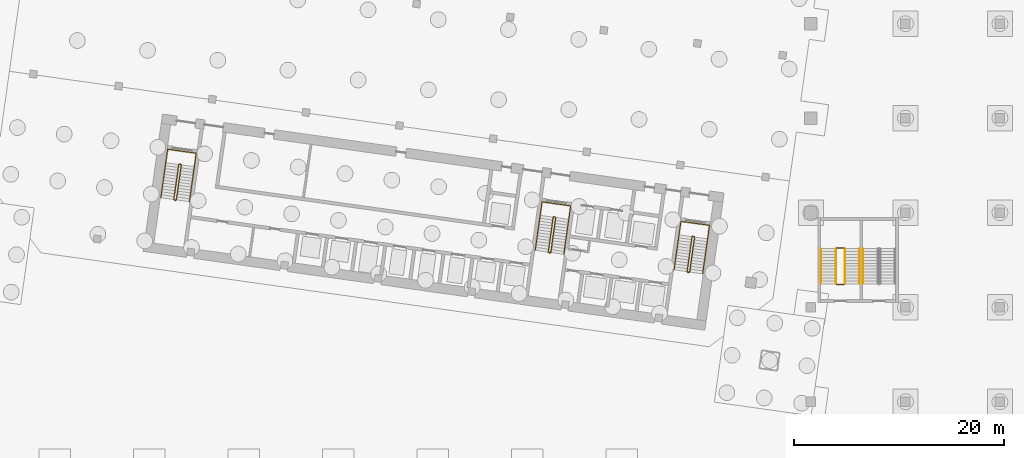
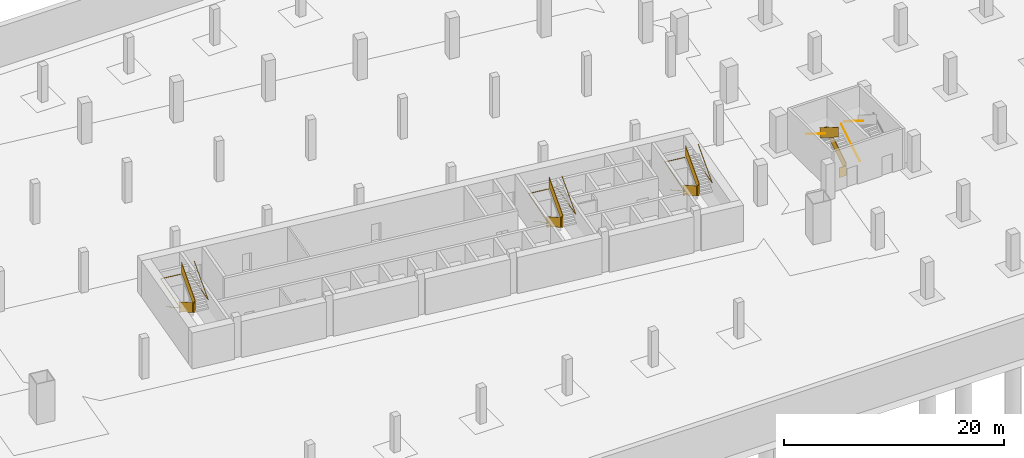
# One storey, part 15 of 19: 13 railings.
"""IFC4 building model written with IfcOpenShell, lengths in metres."""

from ifc_helpers import new_model, si_unit, direction, frame, origin, origin_2d, place, context, subcontext, project, spatial, rectangle, extrude, material, type_object, element, save


model = new_model("IFC4")

# Units and contexts
model_context = context("Model", 3, precision=1e-05, world=origin(), true_north=direction((0.0, 1.0)))
body_context = subcontext(model_context, "Body", "Model", "MODEL_VIEW")
ifc_project = project(units=[si_unit("LENGTHUNIT", "METRE"), si_unit("AREAUNIT", "SQUARE_METRE"), si_unit("VOLUMEUNIT", "CUBIC_METRE"), si_unit("PLANEANGLEUNIT", "RADIAN"), si_unit("MASSUNIT", "GRAM", prefix="KILO")], contexts=[model_context])

# Site, building, storey
site_placement = place(None, origin())
site = spatial("IfcSite", under=ifc_project, at=site_placement, CompositionType="ELEMENT")
building_placement = place(site_placement, origin())
building = spatial("IfcBuilding", under=site, at=building_placement, Name="Mirante Cascada Hotel Towers", CompositionType="ELEMENT")
storey_placement = place(building_placement, frame((0.0, 0.0, -9.0)))
storey = spatial("IfcBuildingStorey", under=building, at=storey_placement, Name="B2", CompositionType="ELEMENT", Elevation=-9.0)

# Railings
ifc_material_1 = material(Name="Painted steel", Category="steel")
railing_type_1 = type_object("IfcRailingType", Name="Podium stair guard 1100 steel balustrade", PredefinedType="GUARDRAIL", material=ifc_material_1)
railing_1_placement = place(storey_placement, frame((-23.775, -15.775, 0.1731)))
element("IfcRailing", 1, at=railing_1_placement, inside=storey, type_object=railing_type_1, Name="B2 PS3 stair guard 1", PredefinedType="GUARDRAIL", context=body_context, shape_type="SweptSolid", body=[
    extrude(rectangle(XDim=0.048, YDim=0.048, at=origin_2d()), frame((0.0, 0.0, 1.076), z_axis=(0.0, 1.0, 0.0), x_axis=(-1.0, 0.0, 0.0)), (0.0, 0.5257871, 0.8506162), 3.9501),
    extrude(rectangle(XDim=0.02, YDim=1.052, at=origin_2d()), frame((0.0, 0.0, 0.526), z_axis=(0.0, 1.0, 0.0), x_axis=(-1.0, 0.0, 0.0)), (0.0, 0.5257871, 0.8506162), 3.9501),
])
railing_2_placement = place(storey_placement, frame((-23.825, -12.365, 2.25)))
element("IfcRailing", 2, at=railing_2_placement, inside=storey, type_object=railing_type_1, Name="B2 PS3 stair guard 2", PredefinedType="GUARDRAIL", context=body_context, shape_type="SweptSolid", body=[
    extrude(rectangle(XDim=0.048, YDim=0.048, at=origin_2d()), frame((0.0, 0.0, 1.076), z_axis=(-1.0, 0.0, 0.0), x_axis=(0.0, -1.0, 0.0)), (0.0, 0.0, 1.0), 0.75),
    extrude(rectangle(XDim=0.02, YDim=1.052, at=origin_2d()), frame((0.0, 0.0, 0.526), z_axis=(-1.0, 0.0, 0.0), x_axis=(0.0, -1.0, 0.0)), (0.0, 0.0, 1.0), 0.75),
])
railing_3_placement = place(storey_placement, frame((-24.625, -12.415, 2.4231)))
element("IfcRailing", 3, at=railing_3_placement, inside=storey, type_object=railing_type_1, Name="B2 PS3 stair guard 3", PredefinedType="GUARDRAIL", context=body_context, shape_type="SweptSolid", body=[
    extrude(rectangle(XDim=0.048, YDim=0.048, at=origin_2d()), frame((0.0, 0.0, 1.076), z_axis=(0.0, -1.0, 0.0), x_axis=(1.0, 0.0, 0.0)), (0.0, 0.5257871, 0.8506162), 3.9501),
    extrude(rectangle(XDim=0.02, YDim=1.052, at=origin_2d()), frame((0.0, 0.0, 0.526), z_axis=(0.0, -1.0, 0.0), x_axis=(1.0, 0.0, 0.0)), (0.0, 0.5257871, 0.8506162), 3.9501),
])
railing_4_placement = place(storey_placement, frame((-23.825, -15.825, 0.0)))
element("IfcRailing", 4, at=railing_4_placement, inside=storey, type_object=railing_type_1, Name="B2 PS3 stair guard 4", PredefinedType="GUARDRAIL", context=body_context, shape_type="SweptSolid", body=[
    extrude(rectangle(XDim=0.048, YDim=0.048, at=origin_2d()), frame((0.0, 0.0, 1.076), z_axis=(-1.0, 0.0, 0.0), x_axis=(0.0, -1.0, 0.0)), (0.0, 0.0, 1.0), 0.75),
    extrude(rectangle(XDim=0.02, YDim=1.052, at=origin_2d()), frame((0.0, 0.0, 0.526), z_axis=(-1.0, 0.0, 0.0), x_axis=(0.0, -1.0, 0.0)), (0.0, 0.0, 1.0), 0.75),
])
ifc_material_2 = material(Name="Painted steel", Category="steel")
railing_type_2 = type_object("IfcRailingType", Name="Podium stair handrail 900 steel tube", PredefinedType="HANDRAIL", material=ifc_material_2)
railing_5_placement = place(storey_placement, frame((-22.025, -12.415, 2.4231)))
element("IfcRailing", 5, at=railing_5_placement, inside=storey, type_object=railing_type_2, Name="B2 PS1 stair handrail 2", PredefinedType="HANDRAIL", context=body_context, shape_type="SweptSolid", body=[
    extrude(rectangle(XDim=0.048, YDim=0.048, at=origin_2d()), frame((0.0, 0.0, 0.876), z_axis=(0.0, -1.0, 0.0), x_axis=(1.0, 0.0, 0.0)), (0.0, 0.5257871, 0.8506162), 3.9501),
])
railing_6_placement = place(storey_placement, frame((-22.375, -15.775, 0.1731)))
element("IfcRailing", 6, at=railing_6_placement, inside=storey, type_object=railing_type_2, Name="B2 PS3 stair handrail 1", PredefinedType="HANDRAIL", context=body_context, shape_type="SweptSolid", body=[
    extrude(rectangle(XDim=0.048, YDim=0.048, at=origin_2d()), frame((0.0, 0.0, 0.876), z_axis=(0.0, 1.0, 0.0), x_axis=(-1.0, 0.0, 0.0)), (0.0, 0.5257871, 0.8506162), 3.9501),
])
railing_7_placement = place(storey_placement, frame((-26.025, -12.415, 2.4231)))
element("IfcRailing", 7, at=railing_7_placement, inside=storey, type_object=railing_type_2, Name="B2 PS3 stair handrail 2", PredefinedType="HANDRAIL", context=body_context, shape_type="SweptSolid", body=[
    extrude(rectangle(XDim=0.048, YDim=0.048, at=origin_2d()), frame((0.0, 0.0, 0.876), z_axis=(0.0, -1.0, 0.0), x_axis=(1.0, 0.0, 0.0)), (0.0, 0.5257871, 0.8506162), 3.9501),
])
ifc_material_3 = material(Name="Painted steel", Category="steel")
railing_type_3 = type_object("IfcRailingType", Name="Stair guard 1100 steel balustrade", PredefinedType="GUARDRAIL", material=ifc_material_3)
railing_8_placement = place(storey_placement, frame((-38.1178, -11.2603, 0.0)))
element("IfcRailing", 8, at=railing_8_placement, inside=storey, type_object=railing_type_3, Name="B2 ST1-A stair guard 1", PredefinedType="GUARDRAIL", context=body_context, shape_type="SweptSolid", body=[
    extrude(rectangle(XDim=0.048, YDim=0.048, at=origin_2d()), frame((0.0, 0.0, 1.076), z_axis=(-0.9903326, 0.1387133, 0.0), x_axis=(-0.1387133, -0.9903326, 0.0)), (0.0, 0.0, 1.0), 0.1499),
    extrude(rectangle(XDim=0.02, YDim=1.052, at=origin_2d()), frame((0.0, 0.0, 0.526), z_axis=(-0.9903326, 0.1387133, 0.0), x_axis=(-0.1387133, -0.9903326, 0.0)), (0.0, 0.0, 1.0), 0.1499),
    extrude(rectangle(XDim=0.048, YDim=0.048, at=origin_2d()), frame((-0.1485, 0.0208, 1.076), z_axis=(-0.7991505, -0.6011309, 0.0), x_axis=(0.6011309, -0.7991505, 0.0)), (0.0, 0.9257597, 0.3781125), 0.187),
    extrude(rectangle(XDim=0.02, YDim=1.052, at=origin_2d()), frame((-0.1485, 0.0208, 0.526), z_axis=(-0.7991505, -0.6011309, 0.0), x_axis=(0.6011309, -0.7991505, 0.0)), (0.0, 0.9257597, 0.3781125), 0.187),
    extrude(rectangle(XDim=0.048, YDim=0.048, at=origin_2d()), frame((-0.205, -0.0217, 1.2491), z_axis=(-0.1391668, -0.990269, 0.0), x_axis=(0.990269, -0.1391668, 0.0)), (0.0, 0.5257875, 0.8506159), 3.9501),
    extrude(rectangle(XDim=0.02, YDim=1.052, at=origin_2d()), frame((-0.205, -0.0217, 0.6991), z_axis=(-0.1391668, -0.990269, 0.0), x_axis=(0.990269, -0.1391668, 0.0)), (0.0, 0.5257875, 0.8506159), 3.9501),
    extrude(rectangle(XDim=0.048, YDim=0.048, at=origin_2d()), frame((-0.6726, -3.349, 3.326), z_axis=(0.9268624, -0.3754011, 0.0), x_axis=(0.3754011, 0.9268624, 0.0)), (0.0, 0.0, 1.0), 0.2062),
    extrude(rectangle(XDim=0.02, YDim=1.052, at=origin_2d()), frame((-0.6726, -3.349, 2.776), z_axis=(0.9268624, -0.3754011, 0.0), x_axis=(0.3754011, 0.9268624, 0.0)), (0.0, 0.0, 1.0), 0.2062),
    extrude(rectangle(XDim=0.048, YDim=0.048, at=origin_2d()), frame((-0.4815, -3.4264, 3.326), z_axis=(-0.9902537, 0.1392753, 0.0), x_axis=(-0.1392753, -0.9902537, 0.0)), (0.0, 0.0, 1.0), 0.1501),
    extrude(rectangle(XDim=0.02, YDim=1.052, at=origin_2d()), frame((-0.4815, -3.4264, 2.776), z_axis=(-0.9902537, 0.1392753, 0.0), x_axis=(-0.1392753, -0.9902537, 0.0)), (0.0, 0.0, 1.0), 0.1501),
    extrude(rectangle(XDim=0.048, YDim=0.048, at=origin_2d()), frame((-0.6301, -3.4055, 3.326), z_axis=(0.9944441, 0.1052656, 0.0), x_axis=(-0.1052656, 0.9944441, 0.0)), (0.0, 0.6430569, 0.7658184), 0.2692),
    extrude(rectangle(XDim=0.02, YDim=1.052, at=origin_2d()), frame((-0.6301, -3.4055, 2.776), z_axis=(0.9944441, 0.1052656, 0.0), x_axis=(-0.1052656, 0.9944441, 0.0)), (0.0, 0.6430569, 0.7658184), 0.2692),
    extrude(rectangle(XDim=0.048, YDim=0.048, at=origin_2d()), frame((-0.4251, -3.3838, 3.4991), z_axis=(0.139196, 0.9902648, 0.0), x_axis=(-0.9902648, 0.139196, 0.0)), (0.0, 0.525786, 0.8506169), 3.9501),
    extrude(rectangle(XDim=0.02, YDim=1.052, at=origin_2d()), frame((-0.4251, -3.3838, 2.9491), z_axis=(0.139196, 0.9902648, 0.0), x_axis=(-0.9902648, 0.139196, 0.0)), (0.0, 0.525786, 0.8506169), 3.9501),
])
railing_9_placement = place(storey_placement, frame((-51.3379, -9.4024, 0.0)))
element("IfcRailing", 9, at=railing_9_placement, inside=storey, type_object=railing_type_3, Name="B2 ST1-B stair guard 1", PredefinedType="GUARDRAIL", context=body_context, shape_type="SweptSolid", body=[
    extrude(rectangle(XDim=0.048, YDim=0.048, at=origin_2d()), frame((0.0, 0.0, 1.076), z_axis=(-0.9902408, 0.1393672, 0.0), x_axis=(-0.1393672, -0.9902408, 0.0)), (0.0, 0.0, 1.0), 0.15),
    extrude(rectangle(XDim=0.02, YDim=1.052, at=origin_2d()), frame((0.0, 0.0, 0.526), z_axis=(-0.9902408, 0.1393672, 0.0), x_axis=(-0.1393672, -0.9902408, 0.0)), (0.0, 0.0, 1.0), 0.15),
    extrude(rectangle(XDim=0.048, YDim=0.048, at=origin_2d()), frame((-0.1485, 0.0209, 1.076), z_axis=(-0.7984711, -0.6020331, 0.0), x_axis=(0.6020331, -0.7984711, 0.0)), (0.0, 0.925647, 0.3783882), 0.187),
    extrude(rectangle(XDim=0.02, YDim=1.052, at=origin_2d()), frame((-0.1485, 0.0209, 0.526), z_axis=(-0.7984711, -0.6020331, 0.0), x_axis=(0.6020331, -0.7984711, 0.0)), (0.0, 0.925647, 0.3783882), 0.187),
    extrude(rectangle(XDim=0.048, YDim=0.048, at=origin_2d()), frame((-0.205, -0.0217, 1.2491), z_axis=(-0.1391668, -0.990269, 0.0), x_axis=(0.990269, -0.1391668, 0.0)), (0.0, 0.5257875, 0.8506159), 3.9501),
    extrude(rectangle(XDim=0.02, YDim=1.052, at=origin_2d()), frame((-0.205, -0.0217, 0.6991), z_axis=(-0.1391668, -0.990269, 0.0), x_axis=(0.990269, -0.1391668, 0.0)), (0.0, 0.5257875, 0.8506159), 3.9501),
    extrude(rectangle(XDim=0.048, YDim=0.048, at=origin_2d()), frame((-0.6726, -3.349, 3.326), z_axis=(0.9270311, -0.3749843, 0.0), x_axis=(0.3749843, 0.9270311, 0.0)), (0.0, 0.0, 1.0), 0.2061),
    extrude(rectangle(XDim=0.02, YDim=1.052, at=origin_2d()), frame((-0.6726, -3.349, 2.776), z_axis=(0.9270311, -0.3749843, 0.0), x_axis=(0.3749843, 0.9270311, 0.0)), (0.0, 0.0, 1.0), 0.2061),
    extrude(rectangle(XDim=0.048, YDim=0.048, at=origin_2d()), frame((-0.4815, -3.4263, 3.326), z_axis=(-0.9902537, 0.1392753, 0.0), x_axis=(-0.1392753, -0.9902537, 0.0)), (0.0, 0.0, 1.0), 0.1501),
    extrude(rectangle(XDim=0.02, YDim=1.052, at=origin_2d()), frame((-0.4815, -3.4263, 2.776), z_axis=(-0.9902537, 0.1392753, 0.0), x_axis=(-0.1392753, -0.9902537, 0.0)), (0.0, 0.0, 1.0), 0.1501),
    extrude(rectangle(XDim=0.048, YDim=0.048, at=origin_2d()), frame((-0.6301, -3.4054, 3.326), z_axis=(0.9945001, 0.1047353, 0.0), x_axis=(-0.1047353, 0.9945001, 0.0)), (0.0, 0.6428942, 0.765955), 0.2693),
    extrude(rectangle(XDim=0.02, YDim=1.052, at=origin_2d()), frame((-0.6301, -3.4054, 2.776), z_axis=(0.9945001, 0.1047353, 0.0), x_axis=(-0.1047353, 0.9945001, 0.0)), (0.0, 0.6428942, 0.765955), 0.2693),
    extrude(rectangle(XDim=0.048, YDim=0.048, at=origin_2d()), frame((-0.425, -3.3838, 3.4991), z_axis=(0.1391668, 0.990269, 0.0), x_axis=(-0.990269, 0.1391668, 0.0)), (0.0, 0.5257875, 0.8506159), 3.9501),
    extrude(rectangle(XDim=0.02, YDim=1.052, at=origin_2d()), frame((-0.425, -3.3838, 2.9491), z_axis=(0.1391668, 0.990269, 0.0), x_axis=(-0.990269, 0.1391668, 0.0)), (0.0, 0.5257875, 0.8506159), 3.9501),
])
railing_10_placement = place(storey_placement, frame((-86.9875, -4.3922, 0.0)))
element("IfcRailing", 10, at=railing_10_placement, inside=storey, type_object=railing_type_3, Name="B2 ST1-C stair guard 1", PredefinedType="GUARDRAIL", context=body_context, shape_type="SweptSolid", body=[
    extrude(rectangle(XDim=0.048, YDim=0.048, at=origin_2d()), frame((0.0, 0.0, 1.076), z_axis=(-0.9902537, 0.1392753, 0.0), x_axis=(-0.1392753, -0.9902537, 0.0)), (0.0, 0.0, 1.0), 0.1501),
    extrude(rectangle(XDim=0.02, YDim=1.052, at=origin_2d()), frame((0.0, 0.0, 0.526), z_axis=(-0.9902537, 0.1392753, 0.0), x_axis=(-0.1392753, -0.9902537, 0.0)), (0.0, 0.0, 1.0), 0.1501),
    extrude(rectangle(XDim=0.048, YDim=0.048, at=origin_2d()), frame((-0.1486, 0.0209, 1.076), z_axis=(-0.7986386, -0.601811, 0.0), x_axis=(0.601811, -0.7986386, 0.0)), (0.0, 0.9259092, 0.3777462), 0.187),
    extrude(rectangle(XDim=0.02, YDim=1.052, at=origin_2d()), frame((-0.1486, 0.0209, 0.526), z_axis=(-0.7986386, -0.601811, 0.0), x_axis=(0.601811, -0.7986386, 0.0)), (0.0, 0.9259092, 0.3777462), 0.187),
    extrude(rectangle(XDim=0.048, YDim=0.048, at=origin_2d()), frame((-0.205, -0.0216, 1.2491), z_axis=(-0.139196, -0.9902648, 0.0), x_axis=(0.9902648, -0.139196, 0.0)), (0.0, 0.525786, 0.8506169), 3.9501),
    extrude(rectangle(XDim=0.02, YDim=1.052, at=origin_2d()), frame((-0.205, -0.0216, 0.6991), z_axis=(-0.139196, -0.9902648, 0.0), x_axis=(0.9902648, -0.139196, 0.0)), (0.0, 0.525786, 0.8506169), 3.9501),
    extrude(rectangle(XDim=0.048, YDim=0.048, at=origin_2d()), frame((-0.6727, -3.3489, 3.326), z_axis=(0.9268624, -0.3754011, 0.0), x_axis=(0.3754011, 0.9268624, 0.0)), (0.0, 0.0, 1.0), 0.2062),
    extrude(rectangle(XDim=0.02, YDim=1.052, at=origin_2d()), frame((-0.6727, -3.3489, 2.776), z_axis=(0.9268624, -0.3754011, 0.0), x_axis=(0.3754011, 0.9268624, 0.0)), (0.0, 0.0, 1.0), 0.2062),
    extrude(rectangle(XDim=0.048, YDim=0.048, at=origin_2d()), frame((-0.4816, -3.4263, 3.326), z_axis=(-0.9902408, 0.1393672, 0.0), x_axis=(-0.1393672, -0.9902408, 0.0)), (0.0, 0.0, 1.0), 0.15),
    extrude(rectangle(XDim=0.02, YDim=1.052, at=origin_2d()), frame((-0.4816, -3.4263, 2.776), z_axis=(-0.9902408, 0.1393672, 0.0), x_axis=(-0.1393672, -0.9902408, 0.0)), (0.0, 0.0, 1.0), 0.15),
    extrude(rectangle(XDim=0.048, YDim=0.048, at=origin_2d()), frame((-0.6301, -3.4054, 3.326), z_axis=(0.9944441, 0.1052656, 0.0), x_axis=(-0.1052656, 0.9944441, 0.0)), (0.0, 0.6430569, 0.7658184), 0.2692),
    extrude(rectangle(XDim=0.02, YDim=1.052, at=origin_2d()), frame((-0.6301, -3.4054, 2.776), z_axis=(0.9944441, 0.1052656, 0.0), x_axis=(-0.1052656, 0.9944441, 0.0)), (0.0, 0.6430569, 0.7658184), 0.2692),
    extrude(rectangle(XDim=0.048, YDim=0.048, at=origin_2d()), frame((-0.4251, -3.3837, 3.4991), z_axis=(0.1391668, 0.990269, 0.0), x_axis=(-0.990269, 0.1391668, 0.0)), (0.0, 0.5257875, 0.8506159), 3.9501),
    extrude(rectangle(XDim=0.02, YDim=1.052, at=origin_2d()), frame((-0.4251, -3.3837, 2.9491), z_axis=(0.1391668, 0.990269, 0.0), x_axis=(-0.990269, 0.1391668, 0.0)), (0.0, 0.5257875, 0.8506159), 3.9501),
])
ifc_material_4 = material(Name="Painted steel", Category="steel")
railing_type_4 = type_object("IfcRailingType", Name="Stair handrail 900 steel tube", PredefinedType="HANDRAIL", material=ifc_material_4)
railing_11_placement = place(storey_placement, frame((-39.5606, -11.1081, 0.1731)))
element("IfcRailing", 11, at=railing_11_placement, inside=storey, type_object=railing_type_4, Name="B2 ST1-A stair handrail 1", PredefinedType="HANDRAIL", context=body_context, shape_type="SweptSolid", body=[
    extrude(rectangle(XDim=0.048, YDim=0.048, at=origin_2d()), frame((0.0, 0.0, 0.876), z_axis=(-0.139196, -0.9902648, 0.0), x_axis=(0.9902648, -0.139196, 0.0)), (0.0, 0.525786, 0.8506169), 3.9501),
    extrude(rectangle(XDim=0.048, YDim=0.048, at=origin_2d()), frame((-0.4677, -3.3273, 2.9529), z_axis=(0.1391828, 0.9902667, 0.0), x_axis=(-0.9902667, 0.1391828, 0.0)), (0.0, 0.0371199, 0.9993108), 4.6633),
    extrude(rectangle(XDim=0.048, YDim=0.048, at=origin_2d()), frame((0.1809, 1.2874, 3.126), z_axis=(0.9902691, -0.1391657, 0.0), x_axis=(0.1391657, 0.9902691, 0.0)), (0.0, 0.0, 1.0), 2.75),
    extrude(rectangle(XDim=0.048, YDim=0.048, at=origin_2d()), frame((2.9041, 0.9047, 3.126), z_axis=(-0.1391618, -0.9902697, 0.0), x_axis=(0.9902697, -0.1391618, 0.0)), (0.0, 0.0, 1.0), 4.66),
    extrude(rectangle(XDim=0.048, YDim=0.048, at=origin_2d()), frame((2.2556, -3.71, 3.126), z_axis=(0.1391668, 0.990269, 0.0), x_axis=(-0.990269, 0.1391668, 0.0)), (0.0, 0.5257875, 0.8506159), 3.9501),
])
railing_12_placement = place(storey_placement, frame((-52.7807, -9.2501, 0.1731)))
element("IfcRailing", 12, at=railing_12_placement, inside=storey, type_object=railing_type_4, Name="B2 ST1-B stair handrail 1", PredefinedType="HANDRAIL", context=body_context, shape_type="SweptSolid", body=[
    extrude(rectangle(XDim=0.048, YDim=0.048, at=origin_2d()), frame((0.0, 0.0, 0.876), z_axis=(-0.1391668, -0.990269, 0.0), x_axis=(0.990269, -0.1391668, 0.0)), (0.0, 0.5257875, 0.8506159), 3.9501),
    extrude(rectangle(XDim=0.048, YDim=0.048, at=origin_2d()), frame((-0.4676, -3.3273, 2.9529), z_axis=(0.1391618, 0.9902697, 0.0), x_axis=(-0.9902697, 0.1391618, 0.0)), (0.0, 0.03712, 0.9993108), 4.6633),
    extrude(rectangle(XDim=0.048, YDim=0.048, at=origin_2d()), frame((0.1809, 1.2874, 3.126), z_axis=(0.9902641, -0.1392013, 0.0), x_axis=(0.1392013, 0.9902641, 0.0)), (0.0, 0.0, 1.0), 2.75),
    extrude(rectangle(XDim=0.048, YDim=0.048, at=origin_2d()), frame((2.9041, 0.9046, 3.126), z_axis=(-0.1391647, -0.9902692, 0.0), x_axis=(0.9902692, -0.1391647, 0.0)), (0.0, 0.0, 1.0), 4.6599),
    extrude(rectangle(XDim=0.048, YDim=0.048, at=origin_2d()), frame((2.2556, -3.71, 3.126), z_axis=(0.1391668, 0.990269, 0.0), x_axis=(-0.990269, 0.1391668, 0.0)), (0.0, 0.5257875, 0.8506159), 3.9501),
])
railing_13_placement = place(storey_placement, frame((-88.4304, -4.2399, 0.1731)))
element("IfcRailing", 13, at=railing_13_placement, inside=storey, type_object=railing_type_4, Name="B2 ST1-C stair handrail 1", PredefinedType="HANDRAIL", context=body_context, shape_type="SweptSolid", body=[
    extrude(rectangle(XDim=0.048, YDim=0.048, at=origin_2d()), frame((0.0, 0.0, 0.876), z_axis=(-0.1391668, -0.990269, 0.0), x_axis=(0.990269, -0.1391668, 0.0)), (0.0, 0.5257875, 0.8506159), 3.9501),
    extrude(rectangle(XDim=0.048, YDim=0.048, at=origin_2d()), frame((-0.4676, -3.3273, 2.9529), z_axis=(0.1391828, 0.9902667, 0.0), x_axis=(-0.9902667, 0.1391828, 0.0)), (0.0, 0.0371199, 0.9993108), 4.6633),
    extrude(rectangle(XDim=0.048, YDim=0.048, at=origin_2d()), frame((0.181, 1.2874, 3.126), z_axis=(0.9902691, -0.1391657, 0.0), x_axis=(0.1391657, 0.9902691, 0.0)), (0.0, 0.0, 1.0), 2.75),
    extrude(rectangle(XDim=0.048, YDim=0.048, at=origin_2d()), frame((2.9042, 0.9047, 3.126), z_axis=(-0.1391828, -0.9902667, 0.0), x_axis=(0.9902667, -0.1391828, 0.0)), (0.0, 0.0, 1.0), 4.6601),
    extrude(rectangle(XDim=0.048, YDim=0.048, at=origin_2d()), frame((2.2556, -3.71, 3.126), z_axis=(0.139196, 0.9902648, 0.0), x_axis=(-0.9902648, 0.139196, 0.0)), (0.0, 0.525786, 0.8506169), 3.9501),
])

save(model, "model.ifc")
